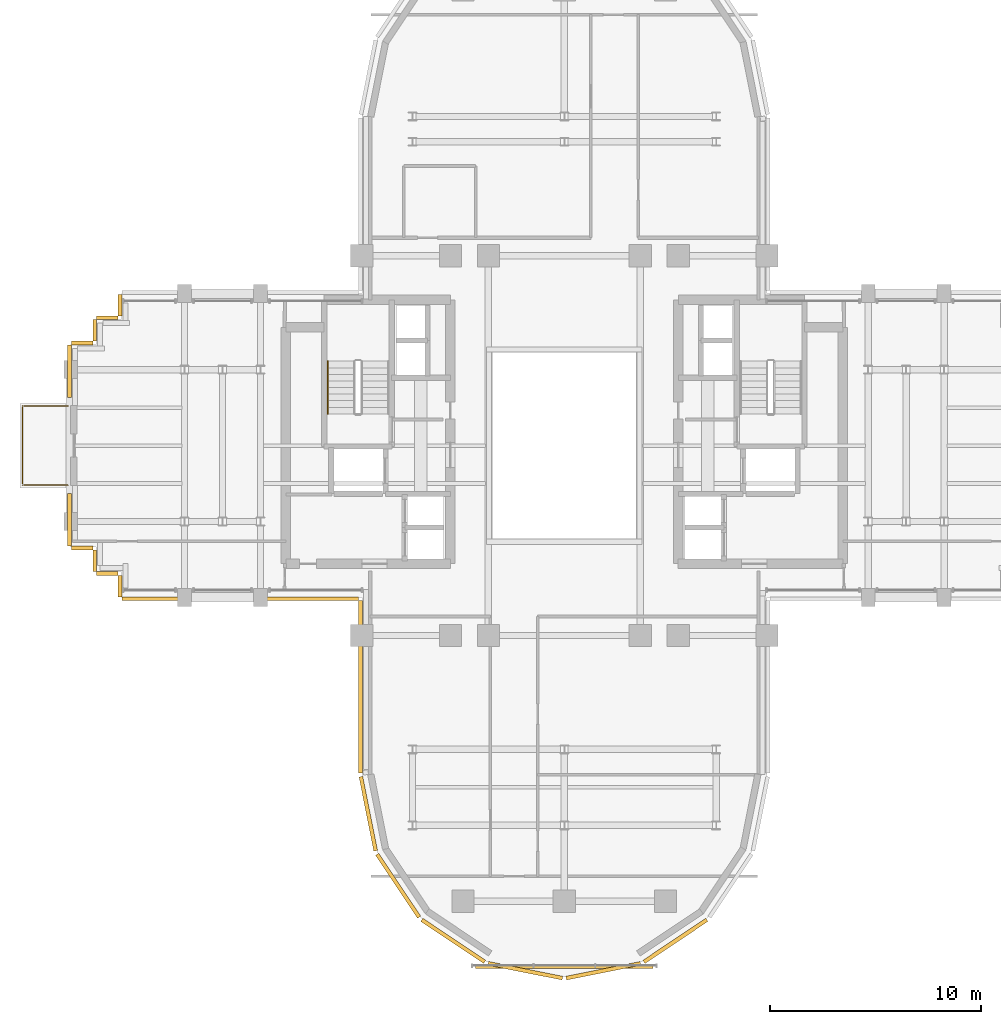
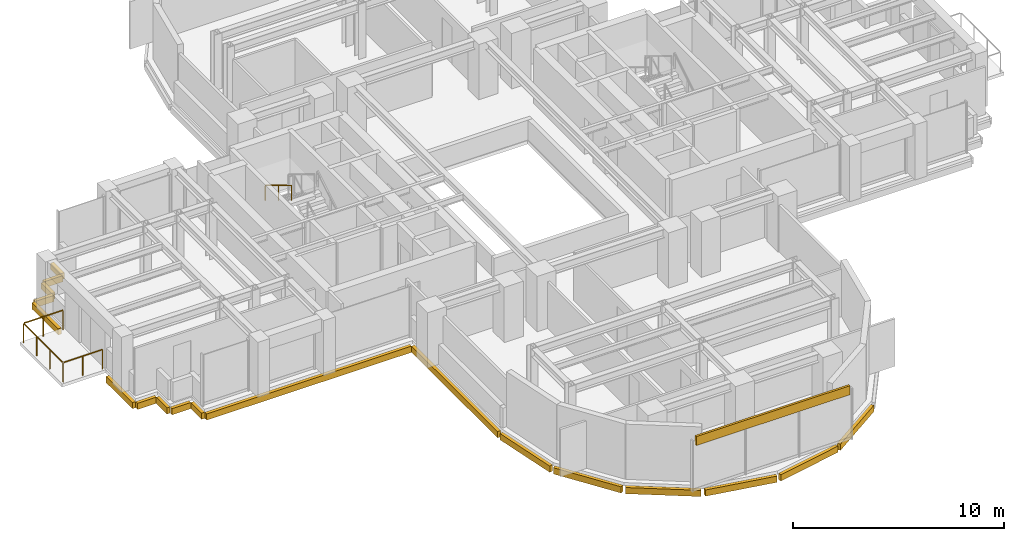
# One storey, part 11 of 13: 19 coverings, 2 railings.
"""IFC4 building model written with IfcOpenShell, lengths in metres."""

from ifc_helpers import new_model, si_unit, direction, frame, origin, origin_2d, place, context, subcontext, project, spatial, rectangle, extrude, source, transform, mapped, material, layer, layer_set, type_object, element, save


model = new_model("IFC4")

# Units and contexts
model_context = context("Model", 3, precision=1e-05, world=origin(), true_north=direction((0.0, 1.0)))
body_context = subcontext(model_context, "Body", "Model", "MODEL_VIEW")
ifc_project = project(units=[si_unit("LENGTHUNIT", "METRE"), si_unit("AREAUNIT", "SQUARE_METRE"), si_unit("VOLUMEUNIT", "CUBIC_METRE"), si_unit("PLANEANGLEUNIT", "RADIAN"), si_unit("MASSUNIT", "GRAM", prefix="KILO")], contexts=[model_context])

# Site, building, storey
site_placement = place(None, origin())
site = spatial("IfcSite", under=ifc_project, at=site_placement, CompositionType="ELEMENT")
building_placement = place(site_placement, origin())
building = spatial("IfcBuilding", under=site, at=building_placement, Name="Keilestroom Media Tower", CompositionType="ELEMENT")
storey_placement = place(building_placement, frame((0.0, 0.0, 100.60009765625)))
storey = spatial("IfcBuildingStorey", under=building, at=storey_placement, Name="L26", CompositionType="ELEMENT", Elevation=100.60009765625)

# Railings
ifc_material_1 = material(Name="Brushed Stainless Steel 1.4301", Category="steel")
railing_type_1 = type_object("IfcRailingType", Name="Stair-Pitch-Handrail-920", PredefinedType="HANDRAIL", material=ifc_material_1)
railing_1_placement = place(storey_placement, frame((-11.2099609375, 3.99609375, 1.888671875)))
element("IfcRailing", 1, at=railing_1_placement, inside=storey, type_object=railing_type_1, Name="L26 ST-1 stair handrail 2", PredefinedType="HANDRAIL", context=body_context, shape_type="SweptSolid", body=[
    extrude(rectangle(XDim=0.048095703125, YDim=0.048095703125, at=origin_2d()), frame((0.0, 0.0, 0.8759765625), z_axis=(0.0, -0.855433747314, 0.517912255074), x_axis=(1.0, 0.0, 0.0)), (0.0, 0.0, 1.0), 2.91796875),
    extrude(rectangle(XDim=0.0419921875, YDim=0.0419921875, at=origin_2d()), origin(), (0.0, 0.0, 1.0), 0.84375),
    extrude(rectangle(XDim=0.0419921875, YDim=0.0419921875, at=origin_2d()), frame((0.0, -1.248046875, 0.755615234375)), (0.0, 0.0, 1.0), 0.84375),
    extrude(rectangle(XDim=0.0419921875, YDim=0.0419921875, at=origin_2d()), frame((0.0, -2.49609375, 1.51123046875)), (0.0, 0.0, 1.0), 0.84375),
])
ifc_material_2 = material(Name="Laminated Safety Glass & Stainless Steel", Category="steel")
railing_type_2 = type_object("IfcRailingType", Name="Terrace-And-Atrium-Guard-Balustrade-GD-EXT", PredefinedType="BALUSTRADE", material=ifc_material_2)
railing_2_placement = place(storey_placement, frame((-23.52001953125, -1.8798828125, 0.0)))
element("IfcRailing", 2, at=railing_2_placement, inside=storey, type_object=railing_type_2, Name="L26 Terrace Perimeter Guard L26-W", PredefinedType="BALUSTRADE", context=body_context, shape_type="SweptSolid", body=[
    extrude(rectangle(XDim=0.048095703125, YDim=0.048095703125, at=origin_2d()), frame((0.0, 0.0, 1.1259765625), z_axis=(-1.0, 0.0, 0.0), x_axis=(0.0, -1.0, 0.0)), (0.0, 0.0, 1.0), 2.11181640625),
    extrude(rectangle(XDim=0.048095703125, YDim=0.048095703125, at=origin_2d()), frame((-2.159912109375, 0.048095703125, 1.1259765625), z_axis=(0.0, 1.0, 0.0), x_axis=(-1.0, 0.0, 0.0)), (0.0, 0.0, 1.0), 3.66357421875),
    extrude(rectangle(XDim=0.048095703125, YDim=0.048095703125, at=origin_2d()), frame((-2.11181640625, 3.759765625, 1.1259765625), z_axis=(1.0, 0.0, 0.0), x_axis=(0.0, 1.0, 0.0)), (0.0, 0.0, 1.0), 2.11181640625),
    extrude(rectangle(XDim=0.0419921875, YDim=0.0419921875, at=origin_2d()), origin(), (0.0, 0.0, 1.0), 1.09375),
    extrude(rectangle(XDim=0.0419921875, YDim=0.0419921875, at=origin_2d()), frame((-1.080078125, 0.0, 0.0)), (0.0, 0.0, 1.0), 1.09375),
    extrude(rectangle(XDim=0.0419921875, YDim=0.0419921875, at=origin_2d()), frame((-2.159912109375, 0.0, 0.0)), (0.0, 0.0, 1.0), 1.09375),
    extrude(rectangle(XDim=0.0419921875, YDim=0.0419921875, at=origin_2d()), frame((-2.159912109375, 1.253173828125, 0.0)), (0.0, 0.0, 1.0), 1.09375),
    extrude(rectangle(XDim=0.0419921875, YDim=0.0419921875, at=origin_2d()), frame((-2.159912109375, 2.506591796875, 0.0)), (0.0, 0.0, 1.0), 1.09375),
    extrude(rectangle(XDim=0.0419921875, YDim=0.0419921875, at=origin_2d()), frame((-2.159912109375, 3.759765625, 0.0)), (0.0, 0.0, 1.0), 1.09375),
    extrude(rectangle(XDim=0.0419921875, YDim=0.0419921875, at=origin_2d()), frame((-1.080078125, 3.759765625, 0.0)), (0.0, 0.0, 1.0), 1.09375),
    extrude(rectangle(XDim=0.0419921875, YDim=0.0419921875, at=origin_2d()), frame((0.0, 3.759765625, 0.0)), (0.0, 0.0, 1.0), 1.09375),
])

# Coverings
ifc_material_3 = material(Name="Precast concrete C40/50", Category="concrete")
ifc_layer = layer(ifc_material_3, 0.1201171875)
ifc_layer_set = layer_set([ifc_layer], Name="Precast concrete C40/50")
covering_type = type_object("IfcCoveringType", Name="Exterior-Precast-Spandrel-Cladding-Panel-120", PredefinedType="CLADDING", material=ifc_layer_set)
shared_shape_1 = source(origin(), body_context, "Body", "SweptSolid", [
    extrude(rectangle(XDim=8.39990234375, YDim=0.1201171875, at=origin_2d()), origin(), (0.0, 0.0, 1.0), 0.52001953125),
])
covering_1_placement = place(storey_placement, frame((0.0, -24.719970703125, 2.68994140625), z_axis=(0.0, 0.0, 1.0), x_axis=(1.0, 0.0, 0.0)))
element("IfcCovering", 3, at=covering_1_placement, inside=storey, type_object=covering_type, Name="L26 Precast Spandrel Cladding S", PredefinedType="CLADDING", context=body_context, shape_type="MappedRepresentation", body=[
    mapped(shared_shape_1, transform((0.0, 0.0, 0.0), x_axis=(1.0, 0.0, 0.0), y_axis=(0.0, 1.0, 0.0), z_axis=(0.0, 0.0, 1.0), scale=1.0)),
])
shared_shape_2 = source(origin(), body_context, "Body", "SweptSolid", [
    extrude(rectangle(XDim=1.02001953125, YDim=0.179931640625, at=origin_2d()), origin(), (0.0, 0.0, 1.0), 0.360107421875),
])
for number, where, z_axis, x_axis, name in (
    (4, (-21.06005859375, -6.659912109375, -0.5400390625), (0.0, 0.0, 1.0), (0.0, 1.0, 0.0), "L26 Precast Slab-Edge Fascia Cornice 17"),
    (5, (-21.659912109375, -6.06005859375, -0.5400390625), (0.0, 0.0, 1.0), (-1.0, 0.0, 0.0), "L26 Precast Slab-Edge Fascia Cornice 18"),
    (6, (-22.260009765625, -5.4599609375, -0.5400390625), (0.0, 0.0, 1.0), (0.0, 1.0, 0.0), "L26 Precast Slab-Edge Fascia Cornice 19"),
    (7, (-22.860107421875, -4.860107421875, -0.5400390625), (0.0, 0.0, 1.0), (-1.0, 0.0, 0.0), "L26 Precast Slab-Edge Fascia Cornice 20"),
    (8, (-22.860107421875, 4.860107421875, -0.5400390625), (0.0, 0.0, 1.0), (1.0, 0.0, 0.0), "L26 Precast Slab-Edge Fascia Cornice 23"),
    (9, (-22.260009765625, 5.4599609375, -0.5400390625), (0.0, 0.0, 1.0), (0.0, 1.0, 0.0), "L26 Precast Slab-Edge Fascia Cornice 24"),
    (10, (-21.659912109375, 6.06005859375, -0.5400390625), (0.0, 0.0, 1.0), (1.0, 0.0, 0.0), "L26 Precast Slab-Edge Fascia Cornice 25"),
    (11, (-21.06005859375, 6.659912109375, -0.5400390625), (0.0, 0.0, 1.0), (0.0, 1.0, 0.0), "L26 Precast Slab-Edge Fascia Cornice 26"),
):
    element("IfcCovering", number, at=place(storey_placement, frame(where, z_axis=z_axis, x_axis=x_axis)), inside=storey, type_object=covering_type, Name=name, PredefinedType="CLADDING", context=body_context, shape_type="MappedRepresentation", body=[
        mapped(shared_shape_2, transform((0.0, 0.0, 0.0), x_axis=(1.0, 0.0, 0.0), y_axis=(0.0, 1.0, 0.0), z_axis=(0.0, 0.0, 1.0), scale=1.0)),
    ])
shared_shape_3 = source(origin(), body_context, "Body", "SweptSolid", [
    extrude(rectangle(XDim=8.166015625, YDim=0.179931640625, at=origin_2d()), origin(), (0.0, 0.0, 1.0), 0.360107421875),
])
covering_2_placement = place(storey_placement, frame((-9.659912109375, -11.43310546875, -0.5400390625), z_axis=(0.0, 0.0, 1.0), x_axis=(0.0, 1.0, 0.0)))
element("IfcCovering", 12, at=covering_2_placement, inside=storey, type_object=covering_type, Name="L26 Precast Slab-Edge Fascia Cornice 15", PredefinedType="CLADDING", context=body_context, shape_type="MappedRepresentation", body=[
    mapped(shared_shape_3, transform((0.0, 0.0, 0.0), x_axis=(1.0, 0.0, 0.0), y_axis=(0.0, 1.0, 0.0), z_axis=(0.0, 0.0, 1.0), scale=1.0)),
])
shared_shape_4 = source(origin(), body_context, "Body", "SweptSolid", [
    extrude(rectangle(XDim=3.58349609375, YDim=0.179931640625, at=origin_2d()), origin(), (0.0, 0.0, 1.0), 0.360107421875),
])
covering_3_placement = place(storey_placement, frame((-9.29296875, -17.45166015625, -0.5400390625), z_axis=(0.0, 0.0, 1.0), x_axis=(-0.195098880975, 0.980783577882, 0.0)))
element("IfcCovering", 13, at=covering_3_placement, inside=storey, type_object=covering_type, Name="L26 Precast Slab-Edge Fascia Cornice 14", PredefinedType="CLADDING", context=body_context, shape_type="MappedRepresentation", body=[
    mapped(shared_shape_4, transform((0.0, 0.0, 0.0), x_axis=(1.0, 0.0, 0.0), y_axis=(0.0, 1.0, 0.0), z_axis=(0.0, 0.0, 1.0), scale=1.0)),
])
shared_shape_5 = source(origin(), body_context, "Body", "SweptSolid", [
    extrude(rectangle(XDim=3.589599609375, YDim=0.179931640625, at=origin_2d()), origin(), (0.0, 0.0, 1.0), 0.360107421875),
])
for number, where, z_axis, x_axis, name in (
    (14, (5.264404296875, -23.478515625, -0.5400390625), (0.0, 0.0, 1.0), (-0.831466703332, -0.555574586577, 0.0), "L26 Precast Slab-Edge Fascia Cornice 09"),
    (15, (1.8486328125, -24.893310546875, -0.5400390625), (0.0, 0.0, 1.0), (-0.980783577882, -0.195098880975, 0.0), "L26 Precast Slab-Edge Fascia Cornice 10"),
    (16, (-1.8486328125, -24.893310546875, -0.5400390625), (0.0, 0.0, 1.0), (-0.980783577882, 0.195098880975, 0.0), "L26 Precast Slab-Edge Fascia Cornice 11"),
    (17, (-5.264404296875, -23.478515625, -0.5400390625), (0.0, 0.0, 1.0), (-0.831466703332, 0.555574586577, 0.0), "L26 Precast Slab-Edge Fascia Cornice 12"),
    (18, (-7.878662109375, -20.8642578125, -0.5400390625), (0.0, 0.0, 1.0), (-0.555574586577, 0.831466703332, 0.0), "L26 Precast Slab-Edge Fascia Cornice 13"),
):
    element("IfcCovering", number, at=place(storey_placement, frame(where, z_axis=z_axis, x_axis=x_axis)), inside=storey, type_object=covering_type, Name=name, PredefinedType="CLADDING", context=body_context, shape_type="MappedRepresentation", body=[
        mapped(shared_shape_5, transform((0.0, 0.0, 0.0), x_axis=(1.0, 0.0, 0.0), y_axis=(0.0, 1.0, 0.0), z_axis=(0.0, 0.0, 1.0), scale=1.0)),
    ])
shared_shape_6 = source(origin(), body_context, "Body", "SweptSolid", [
    extrude(rectangle(XDim=2.5, YDim=0.179931640625, at=origin_2d()), origin(), (0.0, 0.0, 1.0), 0.360107421875),
])
for number, where, z_axis, x_axis, name in (
    (19, (-23.4599609375, -3.52001953125, -0.5400390625), (0.0, 0.0, 1.0), (0.0, 1.0, 0.0), "L26 Precast Slab-Edge Fascia Cornice 21"),
    (20, (-23.4599609375, 3.52001953125, -0.5400390625), (0.0, 0.0, 1.0), (0.0, 1.0, 0.0), "L26 Precast Slab-Edge Fascia Cornice 22"),
):
    element("IfcCovering", number, at=place(storey_placement, frame(where, z_axis=z_axis, x_axis=x_axis)), inside=storey, type_object=covering_type, Name=name, PredefinedType="CLADDING", context=body_context, shape_type="MappedRepresentation", body=[
        mapped(shared_shape_6, transform((0.0, 0.0, 0.0), x_axis=(1.0, 0.0, 0.0), y_axis=(0.0, 1.0, 0.0), z_axis=(0.0, 0.0, 1.0), scale=1.0)),
    ])
shared_shape_7 = source(origin(), body_context, "Body", "SweptSolid", [
    extrude(rectangle(XDim=11.219970703125, YDim=0.179931640625, at=origin_2d()), origin(), (0.0, 0.0, 1.0), 0.360107421875),
])
covering_4_placement = place(storey_placement, frame((-15.360107421875, -7.260009765625, -0.5400390625), z_axis=(0.0, 0.0, 1.0), x_axis=(-1.0, 0.0, 0.0)))
element("IfcCovering", 21, at=covering_4_placement, inside=storey, type_object=covering_type, Name="L26 Precast Slab-Edge Fascia Cornice 16", PredefinedType="CLADDING", context=body_context, shape_type="MappedRepresentation", body=[
    mapped(shared_shape_7, transform((0.0, 0.0, 0.0), x_axis=(1.0, 0.0, 0.0), y_axis=(0.0, 1.0, 0.0), z_axis=(0.0, 0.0, 1.0), scale=1.0)),
])

save(model, "model.ifc")
